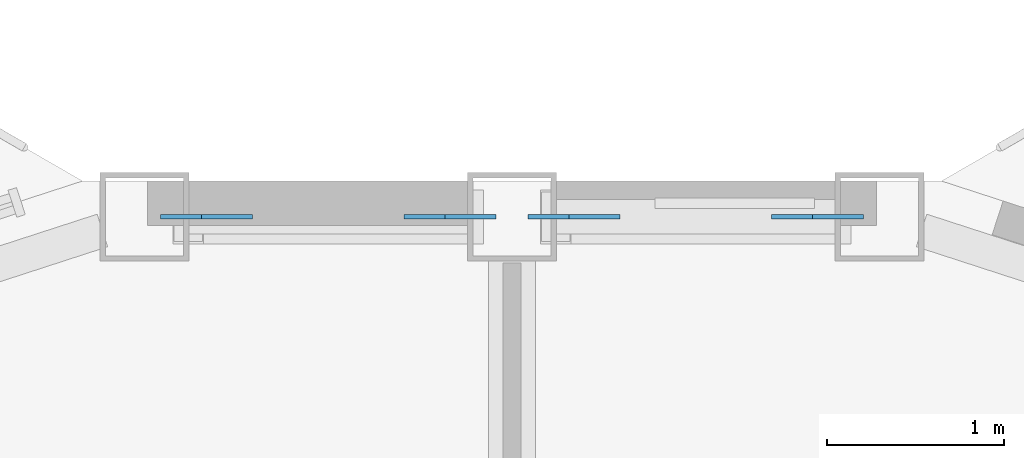
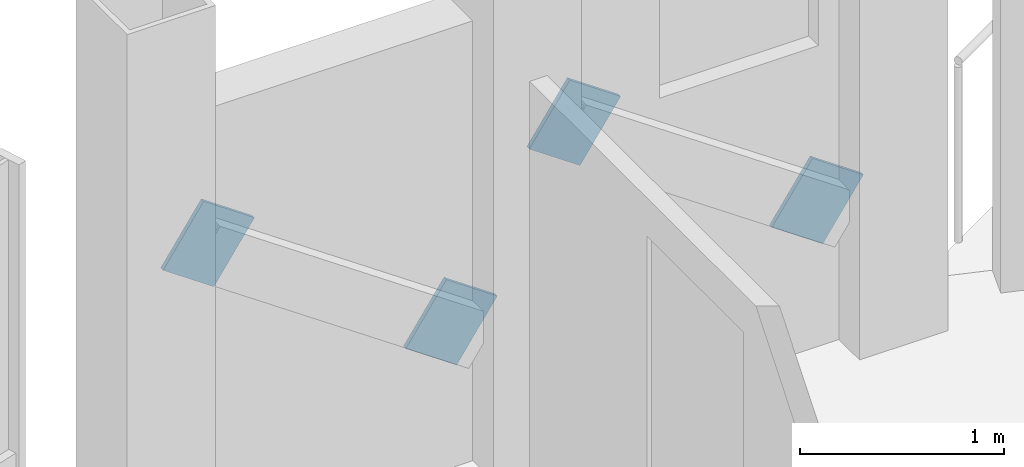
# One storey, part 21 of 26: 4 discrete accessories.
"""IFC4 building model written with IfcOpenShell, lengths in metres."""

import ifcopenshell
import ifcopenshell.guid

model = None  # the IFC model being written
_history = None  # IfcOwnerHistory: only IFC2X3 demands one
_inside = {}  # id of a spatial element -> (the spatial element, [elements in it])
_under = {}  # id of a project, library or spatial element -> (it, [spatial elements below it])
_declared = {}  # id of a project -> (the project, [libraries it declares])
_typed = {}  # id of a type object -> (the type object, [elements of that type])
_made_of = {}  # id of a material, layer set ... -> (it, [elements and type objects made of it])


def new_model(schema):
    """Start an empty IFC model of exactly this schema.

    Asked for "IFC4X3", IfcOpenShell would pick the latest addendum, in which some entities
    have other attributes; the version numbers below select the first issue.
    IFC2X3 requires an IfcOwnerHistory on every rooted entity: one is made here for all.
    """
    global model, _history
    if schema == "IFC4X3":
        model = ifcopenshell.file(schema_version=(4, 3, 0, 0))
    else:
        model = ifcopenshell.file(schema=schema)
    _inside.clear()
    _under.clear()
    _declared.clear()
    _typed.clear()
    _made_of.clear()
    _history = None
    if model.schema == "IFC2X3":
        org = make("IfcOrganization", Name="unknown")
        user = make(
            "IfcPersonAndOrganization",
            ThePerson=make("IfcPerson", FamilyName="unknown"),
            TheOrganization=org,
        )
        app = make(
            "IfcApplication",
            ApplicationDeveloper=org,
            Version="unknown",
            ApplicationFullName="unknown",
            ApplicationIdentifier="unknown",
        )
        _history = make(
            "IfcOwnerHistory",
            OwningUser=user,
            OwningApplication=app,
            ChangeAction="ADDED",
            CreationDate=0,
        )
    return model


def make(cls, **values):
    """One entity of the class cls with the attributes given. An attribute that is None is left unset."""
    return model.create_entity(
        cls, **{name: value for name, value in values.items() if value is not None}
    )


def rooted(cls, **values):
    """An entity with a GlobalId (a new one), such as an element, a storey or a relation."""
    return make(cls, GlobalId=ifcopenshell.guid.new(), OwnerHistory=_history, **values)


def si_unit(unit_type, name, prefix=None):
    """IfcSIUnit, for example si_unit("LENGTHUNIT", "METRE", prefix="MILLI")."""
    return make("IfcSIUnit", UnitType=unit_type, Prefix=prefix, Name=name)


def assignment(units):
    """IfcUnitAssignment: the units of a project."""
    return None if units is None else make("IfcUnitAssignment", Units=units)


def point(xyz):
    """IfcCartesianPoint."""
    return None if xyz is None else make("IfcCartesianPoint", Coordinates=xyz)


def direction(xyz):
    """IfcDirection."""
    return None if xyz is None else make("IfcDirection", DirectionRatios=xyz)


def frame(location, z_axis=None, x_axis=None):
    """IfcAxis2Placement3D, a coordinate frame: its origin and axes. An axis left out is left unset."""
    return make(
        "IfcAxis2Placement3D",
        Location=point(location),
        Axis=direction(z_axis),
        RefDirection=direction(x_axis),
    )


def frame_2d(location, x_axis=None):
    """IfcAxis2Placement2D, a coordinate frame in the plane: its origin and x axis."""
    return make(
        "IfcAxis2Placement2D", Location=point(location), RefDirection=direction(x_axis)
    )


def origin():
    """The frame at (0, 0, 0) with its axes left unset."""
    return frame((0.0, 0.0, 0.0))


def origin_2d():
    """The frame at (0, 0) in the plane with its x axis left unset."""
    return frame_2d((0.0, 0.0))


def place(relative_to, where):
    """IfcLocalPlacement: puts the frame where relative to a parent placement (None: the world)."""
    return make(
        "IfcLocalPlacement", PlacementRelTo=relative_to, RelativePlacement=where
    )


def context(
    kind, dimensions, precision=None, world=None, true_north=None, identifier=None
):
    """IfcGeometricRepresentationContext, for example the 3D "Model" context."""
    return make(
        "IfcGeometricRepresentationContext",
        ContextIdentifier=identifier,
        ContextType=kind,
        CoordinateSpaceDimension=dimensions,
        Precision=precision,
        WorldCoordinateSystem=world,
        TrueNorth=true_north,
    )


def subcontext(parent, identifier, kind, view, scale=None):
    """IfcGeometricRepresentationSubContext, for example "Body" below "Model"."""
    return make(
        "IfcGeometricRepresentationSubContext",
        ContextIdentifier=identifier,
        ContextType=kind,
        ParentContext=parent,
        TargetScale=scale,
        TargetView=view,
    )


def project(units=None, contexts=None):
    """IfcProject with its units and contexts."""
    return rooted(
        "IfcProject",
        Name="project",
        RepresentationContexts=contexts,
        UnitsInContext=assignment(units),
    )


def spatial(cls, under=None, at=None, **own):
    """A site, building, storey or space (cls), placed at a placement, below another one or the project."""
    s = rooted(cls, ObjectPlacement=at, **own)
    if under is not None:
        _under.setdefault(under.id(), (under, []))[1].append(s)
    return s


def profile(cls, at=None, kind="AREA", **sizes):
    """A parametric profile (cls). Its sizes go by their IFC names, for example OverallWidth=200.0."""
    return make(cls, ProfileType=kind, Position=at, **sizes)


def rectangle(**sizes):
    """IfcRectangleProfileDef."""
    return profile("IfcRectangleProfileDef", **sizes)


def extrude(swept, where, along, depth):
    """IfcExtrudedAreaSolid: the profile swept, set in the frame where, extruded along a direction by depth."""
    return make(
        "IfcExtrudedAreaSolid",
        SweptArea=swept,
        Position=where,
        ExtrudedDirection=direction(along),
        Depth=depth,
    )


def shape(context_of_items, identifier, shape_type, items):
    """IfcShapeRepresentation: the items that make up one representation, for example the "Body"."""
    return make(
        "IfcShapeRepresentation",
        ContextOfItems=context_of_items,
        RepresentationIdentifier=identifier,
        RepresentationType=shape_type,
        Items=items,
    )


def material(Name=None, Category=None):
    """IfcMaterial."""
    return make("IfcMaterial", Name=Name, Category=Category)


def material_profile(
    of_material, cross_section, Name=None, Category=None, Priority=None
):
    """IfcMaterialProfile: a cross section and its material."""
    return make(
        "IfcMaterialProfile",
        Name=Name,
        Material=of_material,
        Profile=cross_section,
        Priority=Priority,
        Category=Category,
    )


def profile_set(profiles, Name=None, composite=None):
    """IfcMaterialProfileSet."""
    return make(
        "IfcMaterialProfileSet",
        Name=Name,
        MaterialProfiles=profiles,
        CompositeProfile=composite,
    )


def made_of(thing, what):
    """Note that an element or type object is made of a material, layer set ...; save() writes the relation."""
    if what is not None:
        _made_of.setdefault(what.id(), (what, []))[1].append(thing)
    return thing


def type_object(cls, material=None, **own):
    """A type object (cls), such as IfcWallType, which elements share."""
    return made_of(rooted(cls, **own), material)


def element(
    cls,
    number,
    at=None,
    inside=None,
    cuts=None,
    type_object=None,
    material=None,
    context=None,
    identifier="Body",
    shape_type=None,
    held_by="IfcProductDefinitionShape",
    body=None,
    shapes=None,
    **own,
):
    """One element of the class cls, such as IfcWall. Its Tag is "e" and its number.

    at: its placement. inside: the storey or other place that contains it. cuts: it is an
    opening in that element (IfcRelVoidsElement). A single representation is given by context,
    identifier, shape_type and body (its items); several are given by shapes. held_by: the class
    of the entity that holds the representations. save() writes the other relations.
    """
    e = rooted(cls, Tag="e%d" % number, ObjectPlacement=at, **own)
    if body is not None:
        shapes = [shape(context, identifier, shape_type, body)]
    if shapes is not None:
        e.Representation = make(held_by, Representations=shapes)
    if inside is not None:
        _inside.setdefault(inside.id(), (inside, []))[1].append(e)
    if cuts is not None:
        rooted(
            "IfcRelVoidsElement", RelatingBuildingElement=cuts, RelatedOpeningElement=e
        )
    if type_object is not None:
        _typed.setdefault(type_object.id(), (type_object, []))[1].append(e)
    return made_of(e, material)


def aggregate(whole, parts):
    """IfcRelAggregates: a whole, such as a stair, and the parts it consists of."""
    return rooted("IfcRelAggregates", RelatingObject=whole, RelatedObjects=parts)


def save(model, path):
    """Write the relations noted so far, then the file.

    IfcRelAggregates (storeys below a building ...), IfcRelContainedInSpatialStructure (elements
    in a storey), IfcRelDefinesByType, IfcRelAssociatesMaterial and IfcRelDeclares: one each for
    every whole, place, type object, material and project.
    """
    for whole, parts in _under.values():
        aggregate(whole, parts)
    for where, things in _inside.values():
        rooted(
            "IfcRelContainedInSpatialStructure",
            RelatedElements=things,
            RelatingStructure=where,
        )
    for kind, things in _typed.values():
        rooted("IfcRelDefinesByType", RelatedObjects=things, RelatingType=kind)
    for what, things in _made_of.values():
        rooted("IfcRelAssociatesMaterial", RelatedObjects=things, RelatingMaterial=what)
    for by, libraries in _declared.values():
        rooted("IfcRelDeclares", RelatingContext=by, RelatedDefinitions=libraries)
    model.write(path)


model = new_model("IFC4")

# Units and contexts
model_context = context("Model", 3, precision=1e-05, world=origin(), true_north=direction((0.0, 1.0)))
body_context = subcontext(model_context, "Body", "Model", "MODEL_VIEW")
ifc_project = project(units=[si_unit("LENGTHUNIT", "METRE"), si_unit("AREAUNIT", "SQUARE_METRE"), si_unit("VOLUMEUNIT", "CUBIC_METRE"), si_unit("PLANEANGLEUNIT", "RADIAN"), si_unit("MASSUNIT", "GRAM", prefix="KILO")], contexts=[model_context])

# Site, building, storey
site_placement = place(None, origin())
site = spatial("IfcSite", under=ifc_project, at=site_placement, CompositionType="ELEMENT")
building_placement = place(site_placement, origin())
building = spatial("IfcBuilding", under=site, at=building_placement, Name="Cormorant Prow Tower", CompositionType="ELEMENT")
storey_placement = place(building_placement, frame((0.0, 0.0, 384.800048828125)))
storey = spatial("IfcBuildingStorey", under=building, at=storey_placement, Name="L87", CompositionType="ELEMENT", Elevation=384.800048828125)

# Discrete accessories
ifc_material = material(Name="Structural steel ASTM A500 Gr C", Category="steel")
ifc_material_profile = material_profile(ifc_material, rectangle(XDim=0.02490234375, YDim=0.405029296875, at=origin_2d()), Name="Gusset plate 25x405")
ifc_profile_set = profile_set([ifc_material_profile], Name="Structural steel ASTM A500 Gr C")
discrete_accessory_type = type_object("IfcDiscreteAccessoryType", Name="Gusset plate 25x405", PredefinedType="BRACKET", material=ifc_profile_set)
for number, where, z_axis, x_axis, name in (
    (1, (1.580322265625, 31.219482421875, 0.941162109375), (0.822593864641, 0.0, -0.568629346635), (0.0, 1.0, 0.0), "Gusset plate GP3 L87.N00.g0"),
    (2, (0.493408203125, 31.219482421875, 1.692626953125), (-0.822593864641, 0.0, 0.568629346635), (0.0, -1.0, 0.0), "Gusset plate GP3 L87.N00.g1"),
    (3, (-0.493408203125, 31.219482421875, 0.941162109375), (0.822593864641, 0.0, -0.568629346635), (0.0, 1.0, 0.0), "Gusset plate GP3 L87.N01.g0"),
    (4, (-1.580322265625, 31.219482421875, 1.692626953125), (-0.822593864641, 0.0, 0.568629346635), (0.0, -1.0, 0.0), "Gusset plate GP3 L87.N01.g1"),
):
    element("IfcDiscreteAccessory", number, at=place(storey_placement, frame(where, z_axis=z_axis, x_axis=x_axis)), inside=storey, type_object=discrete_accessory_type, Name=name, PredefinedType="BRACKET", context=body_context, shape_type="SweptSolid", body=[
        extrude(rectangle(XDim=0.02490234375, YDim=0.405029296875, at=origin_2d()), origin(), (0.0, 0.0, 1.0), 0.349853515625),
    ])

save(model, "model.ifc")
